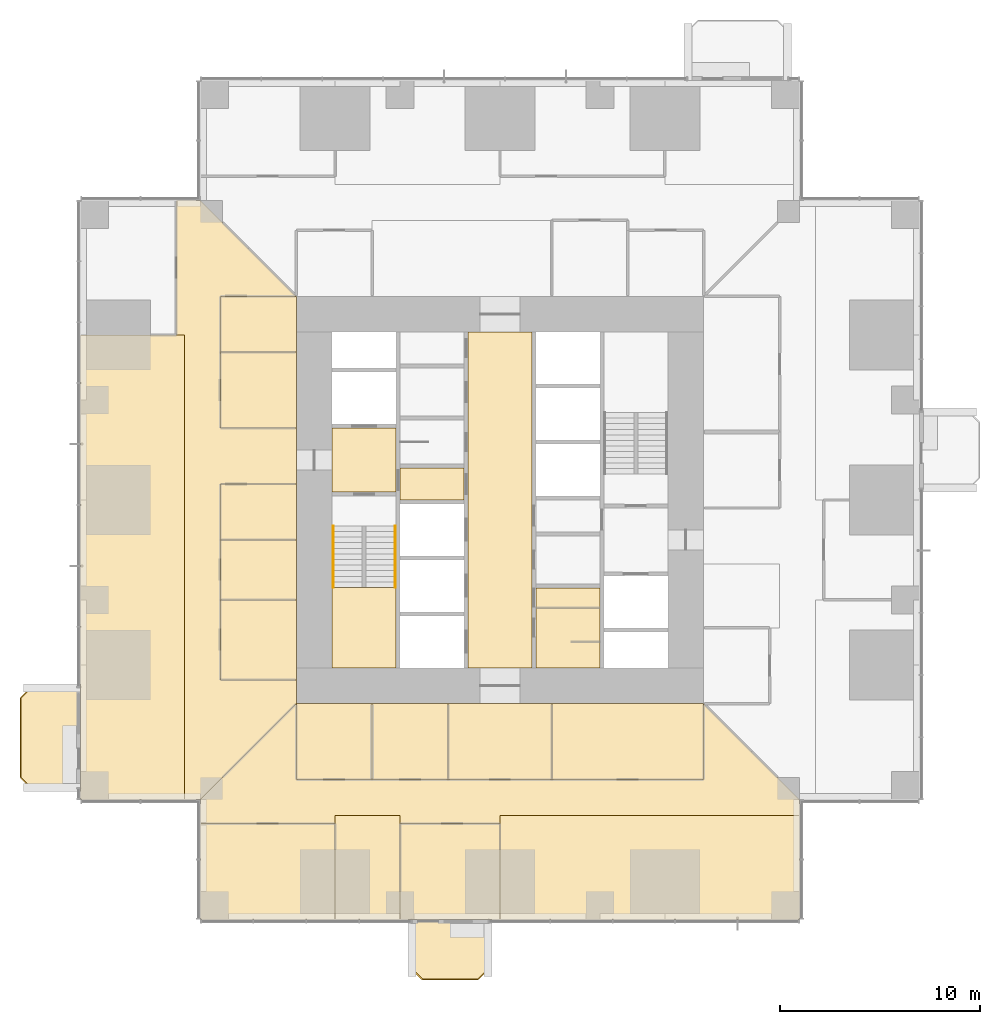
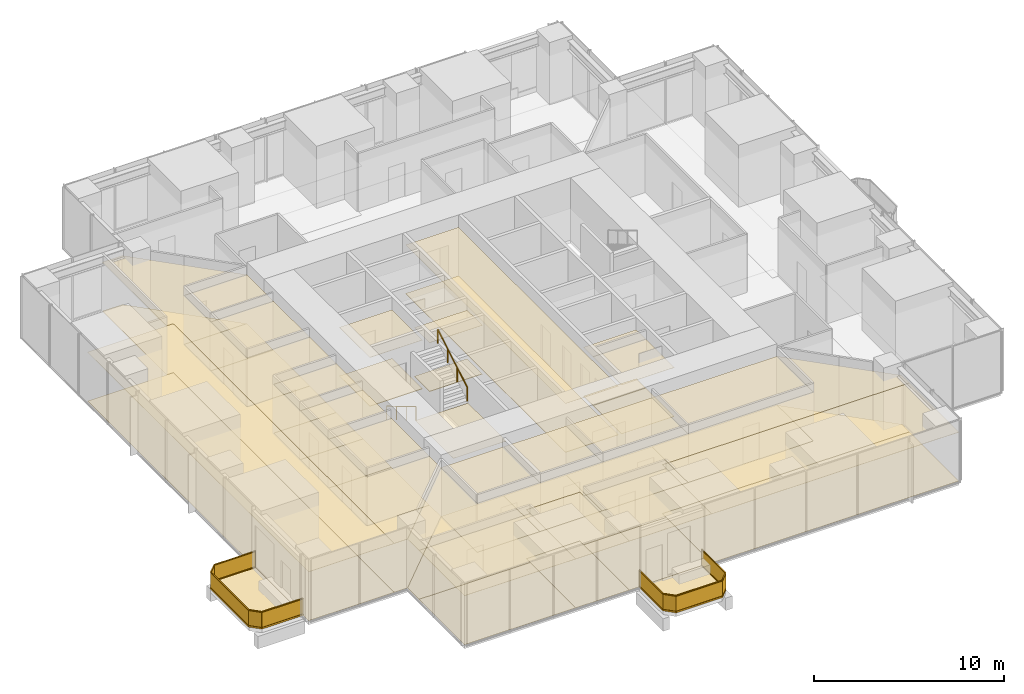
# One storey, part 15 of 17: 45 coverings, 4 railings.
"""IFC4 building model written with IfcOpenShell, lengths in metres."""

import ifcopenshell
import ifcopenshell.guid

model = None  # the IFC model being written
_history = None  # IfcOwnerHistory: only IFC2X3 demands one
_inside = {}  # id of a spatial element -> (the spatial element, [elements in it])
_under = {}  # id of a project, library or spatial element -> (it, [spatial elements below it])
_declared = {}  # id of a project -> (the project, [libraries it declares])
_typed = {}  # id of a type object -> (the type object, [elements of that type])
_made_of = {}  # id of a material, layer set ... -> (it, [elements and type objects made of it])


def new_model(schema):
    """Start an empty IFC model of exactly this schema.

    Asked for "IFC4X3", IfcOpenShell would pick the latest addendum, in which some entities
    have other attributes; the version numbers below select the first issue.
    IFC2X3 requires an IfcOwnerHistory on every rooted entity: one is made here for all.
    """
    global model, _history
    if schema == "IFC4X3":
        model = ifcopenshell.file(schema_version=(4, 3, 0, 0))
    else:
        model = ifcopenshell.file(schema=schema)
    _inside.clear()
    _under.clear()
    _declared.clear()
    _typed.clear()
    _made_of.clear()
    _history = None
    if model.schema == "IFC2X3":
        org = make("IfcOrganization", Name="unknown")
        user = make(
            "IfcPersonAndOrganization",
            ThePerson=make("IfcPerson", FamilyName="unknown"),
            TheOrganization=org,
        )
        app = make(
            "IfcApplication",
            ApplicationDeveloper=org,
            Version="unknown",
            ApplicationFullName="unknown",
            ApplicationIdentifier="unknown",
        )
        _history = make(
            "IfcOwnerHistory",
            OwningUser=user,
            OwningApplication=app,
            ChangeAction="ADDED",
            CreationDate=0,
        )
    return model


def make(cls, **values):
    """One entity of the class cls with the attributes given. An attribute that is None is left unset."""
    return model.create_entity(
        cls, **{name: value for name, value in values.items() if value is not None}
    )


def rooted(cls, **values):
    """An entity with a GlobalId (a new one), such as an element, a storey or a relation."""
    return make(cls, GlobalId=ifcopenshell.guid.new(), OwnerHistory=_history, **values)


def si_unit(unit_type, name, prefix=None):
    """IfcSIUnit, for example si_unit("LENGTHUNIT", "METRE", prefix="MILLI")."""
    return make("IfcSIUnit", UnitType=unit_type, Prefix=prefix, Name=name)


def assignment(units):
    """IfcUnitAssignment: the units of a project."""
    return None if units is None else make("IfcUnitAssignment", Units=units)


def point(xyz):
    """IfcCartesianPoint."""
    return None if xyz is None else make("IfcCartesianPoint", Coordinates=xyz)


def direction(xyz):
    """IfcDirection."""
    return None if xyz is None else make("IfcDirection", DirectionRatios=xyz)


def frame(location, z_axis=None, x_axis=None):
    """IfcAxis2Placement3D, a coordinate frame: its origin and axes. An axis left out is left unset."""
    return make(
        "IfcAxis2Placement3D",
        Location=point(location),
        Axis=direction(z_axis),
        RefDirection=direction(x_axis),
    )


def frame_2d(location, x_axis=None):
    """IfcAxis2Placement2D, a coordinate frame in the plane: its origin and x axis."""
    return make(
        "IfcAxis2Placement2D", Location=point(location), RefDirection=direction(x_axis)
    )


def origin():
    """The frame at (0, 0, 0) with its axes left unset."""
    return frame((0.0, 0.0, 0.0))


def origin_2d():
    """The frame at (0, 0) in the plane with its x axis left unset."""
    return frame_2d((0.0, 0.0))


def place(relative_to, where):
    """IfcLocalPlacement: puts the frame where relative to a parent placement (None: the world)."""
    return make(
        "IfcLocalPlacement", PlacementRelTo=relative_to, RelativePlacement=where
    )


def context(
    kind, dimensions, precision=None, world=None, true_north=None, identifier=None
):
    """IfcGeometricRepresentationContext, for example the 3D "Model" context."""
    return make(
        "IfcGeometricRepresentationContext",
        ContextIdentifier=identifier,
        ContextType=kind,
        CoordinateSpaceDimension=dimensions,
        Precision=precision,
        WorldCoordinateSystem=world,
        TrueNorth=true_north,
    )


def subcontext(parent, identifier, kind, view, scale=None):
    """IfcGeometricRepresentationSubContext, for example "Body" below "Model"."""
    return make(
        "IfcGeometricRepresentationSubContext",
        ContextIdentifier=identifier,
        ContextType=kind,
        ParentContext=parent,
        TargetScale=scale,
        TargetView=view,
    )


def project(units=None, contexts=None):
    """IfcProject with its units and contexts."""
    return rooted(
        "IfcProject",
        Name="project",
        RepresentationContexts=contexts,
        UnitsInContext=assignment(units),
    )


def spatial(cls, under=None, at=None, **own):
    """A site, building, storey or space (cls), placed at a placement, below another one or the project."""
    s = rooted(cls, ObjectPlacement=at, **own)
    if under is not None:
        _under.setdefault(under.id(), (under, []))[1].append(s)
    return s


def polyline(points):
    """IfcPolyline through the points."""
    return make("IfcPolyline", Points=[point(p) for p in points])


def profile(cls, at=None, kind="AREA", **sizes):
    """A parametric profile (cls). Its sizes go by their IFC names, for example OverallWidth=200.0."""
    return make(cls, ProfileType=kind, Position=at, **sizes)


def rectangle(**sizes):
    """IfcRectangleProfileDef."""
    return profile("IfcRectangleProfileDef", **sizes)


def circle(**sizes):
    """IfcCircleProfileDef."""
    return profile("IfcCircleProfileDef", **sizes)


def outline(outer, holes=None, kind="AREA"):
    """IfcArbitraryClosedProfileDef: a profile drawn as a closed curve; with holes, ...WithVoids."""
    if holes is None:
        return make("IfcArbitraryClosedProfileDef", ProfileType=kind, OuterCurve=outer)
    return make(
        "IfcArbitraryProfileDefWithVoids",
        ProfileType=kind,
        OuterCurve=outer,
        InnerCurves=holes,
    )


def extrude(swept, where, along, depth):
    """IfcExtrudedAreaSolid: the profile swept, set in the frame where, extruded along a direction by depth."""
    return make(
        "IfcExtrudedAreaSolid",
        SweptArea=swept,
        Position=where,
        ExtrudedDirection=direction(along),
        Depth=depth,
    )


def shape(context_of_items, identifier, shape_type, items):
    """IfcShapeRepresentation: the items that make up one representation, for example the "Body"."""
    return make(
        "IfcShapeRepresentation",
        ContextOfItems=context_of_items,
        RepresentationIdentifier=identifier,
        RepresentationType=shape_type,
        Items=items,
    )


def material(Name=None, Category=None):
    """IfcMaterial."""
    return make("IfcMaterial", Name=Name, Category=Category)


def layer(
    of_material, thickness, ventilated=None, Name=None, Category=None, Priority=None
):
    """IfcMaterialLayer: one layer of a wall or slab, of a material (None: an air gap)."""
    return make(
        "IfcMaterialLayer",
        Material=of_material,
        LayerThickness=thickness,
        IsVentilated=ventilated,
        Name=Name,
        Category=Category,
        Priority=Priority,
    )


def layer_set(layers, Name=None):
    """IfcMaterialLayerSet."""
    return make("IfcMaterialLayerSet", MaterialLayers=layers, LayerSetName=Name)


def made_of(thing, what):
    """Note that an element or type object is made of a material, layer set ...; save() writes the relation."""
    if what is not None:
        _made_of.setdefault(what.id(), (what, []))[1].append(thing)
    return thing


def type_object(cls, material=None, **own):
    """A type object (cls), such as IfcWallType, which elements share."""
    return made_of(rooted(cls, **own), material)


def element(
    cls,
    number,
    at=None,
    inside=None,
    cuts=None,
    type_object=None,
    material=None,
    context=None,
    identifier="Body",
    shape_type=None,
    held_by="IfcProductDefinitionShape",
    body=None,
    shapes=None,
    **own,
):
    """One element of the class cls, such as IfcWall. Its Tag is "e" and its number.

    at: its placement. inside: the storey or other place that contains it. cuts: it is an
    opening in that element (IfcRelVoidsElement). A single representation is given by context,
    identifier, shape_type and body (its items); several are given by shapes. held_by: the class
    of the entity that holds the representations. save() writes the other relations.
    """
    e = rooted(cls, Tag="e%d" % number, ObjectPlacement=at, **own)
    if body is not None:
        shapes = [shape(context, identifier, shape_type, body)]
    if shapes is not None:
        e.Representation = make(held_by, Representations=shapes)
    if inside is not None:
        _inside.setdefault(inside.id(), (inside, []))[1].append(e)
    if cuts is not None:
        rooted(
            "IfcRelVoidsElement", RelatingBuildingElement=cuts, RelatedOpeningElement=e
        )
    if type_object is not None:
        _typed.setdefault(type_object.id(), (type_object, []))[1].append(e)
    return made_of(e, material)


def aggregate(whole, parts):
    """IfcRelAggregates: a whole, such as a stair, and the parts it consists of."""
    return rooted("IfcRelAggregates", RelatingObject=whole, RelatedObjects=parts)


def save(model, path):
    """Write the relations noted so far, then the file.

    IfcRelAggregates (storeys below a building ...), IfcRelContainedInSpatialStructure (elements
    in a storey), IfcRelDefinesByType, IfcRelAssociatesMaterial and IfcRelDeclares: one each for
    every whole, place, type object, material and project.
    """
    for whole, parts in _under.values():
        aggregate(whole, parts)
    for where, things in _inside.values():
        rooted(
            "IfcRelContainedInSpatialStructure",
            RelatedElements=things,
            RelatingStructure=where,
        )
    for kind, things in _typed.values():
        rooted("IfcRelDefinesByType", RelatedObjects=things, RelatingType=kind)
    for what, things in _made_of.values():
        rooted("IfcRelAssociatesMaterial", RelatedObjects=things, RelatingMaterial=what)
    for by, libraries in _declared.values():
        rooted("IfcRelDeclares", RelatingContext=by, RelatedDefinitions=libraries)
    model.write(path)


model = new_model("IFC4")

# Units and contexts
model_context = context("Model", 3, precision=1e-05, world=origin(), true_north=direction((0.0, 1.0)))
body_context = subcontext(model_context, "Body", "Model", "MODEL_VIEW")
ifc_project = project(units=[si_unit("LENGTHUNIT", "METRE"), si_unit("AREAUNIT", "SQUARE_METRE"), si_unit("VOLUMEUNIT", "CUBIC_METRE"), si_unit("PLANEANGLEUNIT", "RADIAN"), si_unit("MASSUNIT", "GRAM", prefix="KILO")], contexts=[model_context])

# Site, building, storey
site_placement = place(None, origin())
site = spatial("IfcSite", under=ifc_project, at=site_placement, CompositionType="ELEMENT")
building_placement = place(site_placement, origin())
building = spatial("IfcBuilding", under=site, at=building_placement, Name="Svetlomir Tower", CompositionType="ELEMENT")
storey_placement = place(building_placement, frame((0.0, 0.0, 70.5)))
storey = spatial("IfcBuildingStorey", under=building, at=storey_placement, Name="L16", CompositionType="ELEMENT", Elevation=70.5)

# Railings
ifc_material_1 = material(Name="Bronze anodised aluminium and laminated glass", Category="aluminium")
railing_type_1 = type_object("IfcRailingType", Name="BALCONY GUARD GR1 1100", PredefinedType="GUARDRAIL", material=ifc_material_1)
railing_1_placement = place(storey_placement, frame((16.60009765625, 0.0, 0.0)))
element("IfcRailing", 1, at=railing_1_placement, inside=storey, type_object=railing_type_1, Name="Balcony guard S L16", PredefinedType="GUARDRAIL", context=body_context, shape_type="SweptSolid", body=[
    extrude(rectangle(XDim=0.06005859375, YDim=0.10009765625, at=origin_2d()), frame((0.0, 0.0, 0.050048828125), z_axis=(0.0, -1.0, 0.0), x_axis=(1.0, 0.0, 0.0)), (0.0, 0.0, 1.0), 2.5),
    extrude(rectangle(XDim=0.021484375, YDim=0.960205078125, at=origin_2d()), frame((0.0, 0.0, 0.580078125), z_axis=(0.0, -1.0, 0.0), x_axis=(1.0, 0.0, 0.0)), (0.0, 0.0, 1.0), 2.5),
    extrude(rectangle(XDim=0.06005859375, YDim=0.0400390625, at=origin_2d()), frame((0.0, 0.0, 1.080078125), z_axis=(0.0, -1.0, 0.0), x_axis=(1.0, 0.0, 0.0)), (0.0, 0.0, 1.0), 2.5),
    extrude(rectangle(XDim=0.06005859375, YDim=0.10009765625, at=origin_2d()), frame((0.0, -2.5, 0.050048828125), z_axis=(0.707106781187, -0.707106781187, 0.0), x_axis=(0.707106781187, 0.707106781187, 0.0)), (0.0, 0.0, 1.0), 0.70703125),
    extrude(rectangle(XDim=0.021484375, YDim=0.960205078125, at=origin_2d()), frame((0.0, -2.5, 0.580078125), z_axis=(0.707106781187, -0.707106781187, 0.0), x_axis=(0.707106781187, 0.707106781187, 0.0)), (0.0, 0.0, 1.0), 0.70703125),
    extrude(rectangle(XDim=0.06005859375, YDim=0.0400390625, at=origin_2d()), frame((0.0, -2.5, 1.080078125), z_axis=(0.707106781187, -0.707106781187, 0.0), x_axis=(0.707106781187, 0.707106781187, 0.0)), (0.0, 0.0, 1.0), 0.70703125),
    extrude(rectangle(XDim=0.06005859375, YDim=0.10009765625, at=origin_2d()), frame((0.5, -3.0, 0.050048828125), z_axis=(1.0, 0.0, 0.0), x_axis=(0.0, 1.0, 0.0)), (0.0, 0.0, 1.0), 2.7998046875),
    extrude(rectangle(XDim=0.021484375, YDim=0.960205078125, at=origin_2d()), frame((0.5, -3.0, 0.580078125), z_axis=(1.0, 0.0, 0.0), x_axis=(0.0, 1.0, 0.0)), (0.0, 0.0, 1.0), 2.7998046875),
    extrude(rectangle(XDim=0.06005859375, YDim=0.0400390625, at=origin_2d()), frame((0.5, -3.0, 1.080078125), z_axis=(1.0, 0.0, 0.0), x_axis=(0.0, 1.0, 0.0)), (0.0, 0.0, 1.0), 2.7998046875),
    extrude(rectangle(XDim=0.06005859375, YDim=0.10009765625, at=origin_2d()), frame((3.2998046875, -3.0, 0.050048828125), z_axis=(0.707106781187, 0.707106781187, 0.0), x_axis=(-0.707106781187, 0.707106781187, 0.0)), (0.0, 0.0, 1.0), 0.70703125),
    extrude(rectangle(XDim=0.021484375, YDim=0.960205078125, at=origin_2d()), frame((3.2998046875, -3.0, 0.580078125), z_axis=(0.707106781187, 0.707106781187, 0.0), x_axis=(-0.707106781187, 0.707106781187, 0.0)), (0.0, 0.0, 1.0), 0.70703125),
    extrude(rectangle(XDim=0.06005859375, YDim=0.0400390625, at=origin_2d()), frame((3.2998046875, -3.0, 1.080078125), z_axis=(0.707106781187, 0.707106781187, 0.0), x_axis=(-0.707106781187, 0.707106781187, 0.0)), (0.0, 0.0, 1.0), 0.70703125),
    extrude(rectangle(XDim=0.06005859375, YDim=0.10009765625, at=origin_2d()), frame((3.7998046875, -2.5, 0.050048828125), z_axis=(0.0, 1.0, 0.0), x_axis=(-1.0, 0.0, 0.0)), (0.0, 0.0, 1.0), 2.5),
    extrude(rectangle(XDim=0.021484375, YDim=0.960205078125, at=origin_2d()), frame((3.7998046875, -2.5, 0.580078125), z_axis=(0.0, 1.0, 0.0), x_axis=(-1.0, 0.0, 0.0)), (0.0, 0.0, 1.0), 2.5),
    extrude(rectangle(XDim=0.06005859375, YDim=0.0400390625, at=origin_2d()), frame((3.7998046875, -2.5, 1.080078125), z_axis=(0.0, 1.0, 0.0), x_axis=(-1.0, 0.0, 0.0)), (0.0, 0.0, 1.0), 2.5),
])
railing_2_placement = place(storey_placement, frame((0.0, 11.60009765625, 0.0)))
element("IfcRailing", 2, at=railing_2_placement, inside=storey, type_object=railing_type_1, Name="Balcony guard W L16", PredefinedType="GUARDRAIL", context=body_context, shape_type="SweptSolid", body=[
    extrude(rectangle(XDim=0.06005859375, YDim=0.10009765625, at=origin_2d()), frame((0.0, 0.0, 0.050048828125), z_axis=(-1.0, 0.0, 0.0), x_axis=(0.0, -1.0, 0.0)), (0.0, 0.0, 1.0), 2.5),
    extrude(rectangle(XDim=0.021484375, YDim=0.960205078125, at=origin_2d()), frame((0.0, 0.0, 0.580078125), z_axis=(-1.0, 0.0, 0.0), x_axis=(0.0, -1.0, 0.0)), (0.0, 0.0, 1.0), 2.5),
    extrude(rectangle(XDim=0.06005859375, YDim=0.0400390625, at=origin_2d()), frame((0.0, 0.0, 1.080078125), z_axis=(-1.0, 0.0, 0.0), x_axis=(0.0, -1.0, 0.0)), (0.0, 0.0, 1.0), 2.5),
    extrude(rectangle(XDim=0.06005859375, YDim=0.10009765625, at=origin_2d()), frame((-2.5, 0.0, 0.050048828125), z_axis=(-0.707106781187, -0.707106781187, 0.0), x_axis=(0.707106781187, -0.707106781187, 0.0)), (0.0, 0.0, 1.0), 0.70703125),
    extrude(rectangle(XDim=0.021484375, YDim=0.960205078125, at=origin_2d()), frame((-2.5, 0.0, 0.580078125), z_axis=(-0.707106781187, -0.707106781187, 0.0), x_axis=(0.707106781187, -0.707106781187, 0.0)), (0.0, 0.0, 1.0), 0.70703125),
    extrude(rectangle(XDim=0.06005859375, YDim=0.0400390625, at=origin_2d()), frame((-2.5, 0.0, 1.080078125), z_axis=(-0.707106781187, -0.707106781187, 0.0), x_axis=(0.707106781187, -0.707106781187, 0.0)), (0.0, 0.0, 1.0), 0.70703125),
    extrude(rectangle(XDim=0.06005859375, YDim=0.10009765625, at=origin_2d()), frame((-3.0, -0.5, 0.050048828125), z_axis=(0.0, -1.0, 0.0), x_axis=(1.0, 0.0, 0.0)), (0.0, 0.0, 1.0), 4.0),
    extrude(rectangle(XDim=0.021484375, YDim=0.960205078125, at=origin_2d()), frame((-3.0, -0.5, 0.580078125), z_axis=(0.0, -1.0, 0.0), x_axis=(1.0, 0.0, 0.0)), (0.0, 0.0, 1.0), 4.0),
    extrude(rectangle(XDim=0.06005859375, YDim=0.0400390625, at=origin_2d()), frame((-3.0, -0.5, 1.080078125), z_axis=(0.0, -1.0, 0.0), x_axis=(1.0, 0.0, 0.0)), (0.0, 0.0, 1.0), 4.0),
    extrude(rectangle(XDim=0.06005859375, YDim=0.10009765625, at=origin_2d()), frame((-3.0, -4.5, 0.050048828125), z_axis=(0.707106781187, -0.707106781187, 0.0), x_axis=(0.707106781187, 0.707106781187, 0.0)), (0.0, 0.0, 1.0), 0.70703125),
    extrude(rectangle(XDim=0.021484375, YDim=0.960205078125, at=origin_2d()), frame((-3.0, -4.5, 0.580078125), z_axis=(0.707106781187, -0.707106781187, 0.0), x_axis=(0.707106781187, 0.707106781187, 0.0)), (0.0, 0.0, 1.0), 0.70703125),
    extrude(rectangle(XDim=0.06005859375, YDim=0.0400390625, at=origin_2d()), frame((-3.0, -4.5, 1.080078125), z_axis=(0.707106781187, -0.707106781187, 0.0), x_axis=(0.707106781187, 0.707106781187, 0.0)), (0.0, 0.0, 1.0), 0.70703125),
    extrude(rectangle(XDim=0.06005859375, YDim=0.10009765625, at=origin_2d()), frame((-2.5, -5.0, 0.050048828125), z_axis=(1.0, 0.0, 0.0), x_axis=(0.0, 1.0, 0.0)), (0.0, 0.0, 1.0), 2.5),
    extrude(rectangle(XDim=0.021484375, YDim=0.960205078125, at=origin_2d()), frame((-2.5, -5.0, 0.580078125), z_axis=(1.0, 0.0, 0.0), x_axis=(0.0, 1.0, 0.0)), (0.0, 0.0, 1.0), 2.5),
    extrude(rectangle(XDim=0.06005859375, YDim=0.0400390625, at=origin_2d()), frame((-2.5, -5.0, 1.080078125), z_axis=(1.0, 0.0, 0.0), x_axis=(0.0, 1.0, 0.0)), (0.0, 0.0, 1.0), 2.5),
])

# Coverings
ifc_material_2 = material(Name="Granite paving slabs on pedestals", Category="masonry")
ifc_layer_1 = layer(ifc_material_2, 0.0400390625)
ifc_layer_set_1 = layer_set([ifc_layer_1], Name="Granite paving slabs on pedestals")
covering_type_1 = type_object("IfcCoveringType", Name="BALCONY PAVING 40", PredefinedType="USERDEFINED", material=ifc_layer_set_1)
covering_1_placement = place(storey_placement, origin())
element("IfcCovering", 3, at=covering_1_placement, inside=storey, type_object=covering_type_1, Name="Balcony paving S L16", ObjectType="BALCONY PAVING", PredefinedType="USERDEFINED", context=body_context, shape_type="SweptSolid", body=[
    extrude(outline(polyline([(16.60009765625, -2.5), (17.10009765625, -3.0), (19.89990234375, -3.0), (20.39990234375, -2.5), (20.39990234375, 0.0), (16.60009765625, 0.0), (16.60009765625, -2.5)])), origin(), (0.0, 0.0, 1.0), 0.0400390625),
])
covering_2_placement = place(storey_placement, origin())
element("IfcCovering", 4, at=covering_2_placement, inside=storey, type_object=covering_type_1, Name="Balcony paving W L16", ObjectType="BALCONY PAVING", PredefinedType="USERDEFINED", context=body_context, shape_type="SweptSolid", body=[
    extrude(outline(polyline([(-2.5, 6.60009765625), (0.0, 6.60009765625), (0.0, 11.60009765625), (-2.5, 11.60009765625), (-3.0, 11.10009765625), (-3.0, 7.10009765625), (-2.5, 6.60009765625)])), origin(), (0.0, 0.0, 1.0), 0.0400390625),
])
ifc_material_3 = material(Name="Carpet tile", Category="textile")
ifc_layer_2 = layer(ifc_material_3, 0.010009765625)
ifc_layer_set_2 = layer_set([ifc_layer_2], Name="Carpet tile")
covering_type_2 = type_object("IfcCoveringType", Name="CARPET TILE FLOOR 10", PredefinedType="FLOORING", material=ifc_layer_set_2)
covering_3_placement = place(storey_placement, origin())
element("IfcCovering", 5, at=covering_3_placement, inside=storey, type_object=covering_type_2, Name="Floor finish L16-14", PredefinedType="FLOORING", context=body_context, shape_type="SweptSolid", body=[
    extrude(outline(polyline([(10.800048828125, 7.0), (14.60009765625, 7.0), (14.60009765625, 10.800048828125), (10.800048828125, 10.800048828125), (10.800048828125, 7.0)])), origin(), (0.0, 0.0, 1.0), 0.010009765625),
])
covering_4_placement = place(storey_placement, origin())
element("IfcCovering", 6, at=covering_4_placement, inside=storey, type_object=covering_type_2, Name="Floor finish L16-15", PredefinedType="FLOORING", context=body_context, shape_type="SweptSolid", body=[
    extrude(outline(polyline([(14.60009765625, 7.0), (18.39990234375, 7.0), (18.39990234375, 10.800048828125), (14.60009765625, 10.800048828125), (14.60009765625, 7.0)])), origin(), (0.0, 0.0, 1.0), 0.010009765625),
])
covering_5_placement = place(storey_placement, origin())
element("IfcCovering", 7, at=covering_5_placement, inside=storey, type_object=covering_type_2, Name="Floor finish L16-16", PredefinedType="FLOORING", context=body_context, shape_type="SweptSolid", body=[
    extrude(outline(polyline([(23.60009765625, 7.0), (31.199951171875, 7.0), (31.199951171875, 10.800048828125), (23.60009765625, 10.800048828125), (23.60009765625, 7.0)])), origin(), (0.0, 0.0, 1.0), 0.010009765625),
])
covering_6_placement = place(storey_placement, origin())
element("IfcCovering", 8, at=covering_6_placement, inside=storey, type_object=covering_type_2, Name="Floor finish L16-17", PredefinedType="FLOORING", context=body_context, shape_type="SweptSolid", body=[
    extrude(outline(polyline([(6.0, 0.0), (12.75, 0.0), (12.75, 4.800048828125), (6.0, 4.800048828125), (6.0, 0.0)])), origin(), (0.0, 0.0, 1.0), 0.010009765625),
])
covering_7_placement = place(storey_placement, origin())
element("IfcCovering", 9, at=covering_7_placement, inside=storey, type_object=covering_type_2, Name="Floor finish L16-18", PredefinedType="FLOORING", context=body_context, shape_type="SweptSolid", body=[
    extrude(outline(polyline([(16.0, 0.0), (21.0, 0.0), (21.0, 4.800048828125), (16.0, 4.800048828125), (16.0, 0.0)])), origin(), (0.0, 0.0, 1.0), 0.010009765625),
])
covering_8_placement = place(storey_placement, origin())
element("IfcCovering", 10, at=covering_8_placement, inside=storey, type_object=covering_type_2, Name="Floor finish L16-28", PredefinedType="FLOORING", context=body_context, shape_type="SweptSolid", body=[
    extrude(outline(polyline([(7.0, 12.0), (10.800048828125, 12.0), (10.800048828125, 16.0), (7.0, 16.0), (7.0, 12.0)])), origin(), (0.0, 0.0, 1.0), 0.010009765625),
])
covering_9_placement = place(storey_placement, origin())
element("IfcCovering", 11, at=covering_9_placement, inside=storey, type_object=covering_type_2, Name="Floor finish L16-29", PredefinedType="FLOORING", context=body_context, shape_type="SweptSolid", body=[
    extrude(outline(polyline([(7.0, 16.0), (10.800048828125, 16.0), (10.800048828125, 19.0), (7.0, 19.0), (7.0, 16.0)])), origin(), (0.0, 0.0, 1.0), 0.010009765625),
])
covering_10_placement = place(storey_placement, origin())
element("IfcCovering", 12, at=covering_10_placement, inside=storey, type_object=covering_type_2, Name="Floor finish L16-30", PredefinedType="FLOORING", context=body_context, shape_type="SweptSolid", body=[
    extrude(outline(polyline([(7.0, 24.60009765625), (10.800048828125, 24.60009765625), (10.800048828125, 28.39990234375), (7.0, 28.39990234375), (7.0, 24.60009765625)])), origin(), (0.0, 0.0, 1.0), 0.010009765625),
])
covering_11_placement = place(storey_placement, origin())
element("IfcCovering", 13, at=covering_11_placement, inside=storey, type_object=covering_type_2, Name="Floor finish L16-32", PredefinedType="FLOORING", context=body_context, shape_type="SweptSolid", body=[
    extrude(outline(polyline([(6.0, 4.800048828125), (6.0, 6.0), (10.800048828125, 10.800048828125), (10.800048828125, 7.0), (31.199951171875, 7.0), (31.199951171875, 10.800048828125), (36.0, 6.0), (36.0, 5.199951171875), (21.0, 5.199951171875), (21.0, 4.800048828125), (16.0, 4.800048828125), (16.0, 5.199951171875), (12.75, 5.199951171875), (12.75, 4.800048828125), (6.0, 4.800048828125)])), origin(), (0.0, 0.0, 1.0), 0.010009765625),
])
covering_12_placement = place(storey_placement, origin())
element("IfcCovering", 14, at=covering_12_placement, inside=storey, type_object=covering_type_2, Name="Floor finish L16-35", PredefinedType="FLOORING", context=body_context, shape_type="SweptSolid", body=[
    extrude(outline(polyline([(5.199951171875, 6.0), (5.199951171875, 29.25), (4.800048828125, 29.25), (4.800048828125, 36.0), (6.0, 36.0), (10.800048828125, 31.199951171875), (7.0, 31.199951171875), (7.0, 24.60009765625), (10.800048828125, 24.60009765625), (10.800048828125, 21.800048828125), (7.0, 21.800048828125), (7.0, 12.0), (10.800048828125, 12.0), (10.800048828125, 10.800048828125), (6.0, 6.0), (5.199951171875, 6.0)])), origin(), (0.0, 0.0, 1.0), 0.010009765625),
])
covering_13_placement = place(storey_placement, origin())
element("IfcCovering", 15, at=covering_13_placement, inside=storey, type_object=covering_type_2, Name="Floor finish L16-36", PredefinedType="FLOORING", context=body_context, shape_type="SweptSolid", body=[
    extrude(outline(polyline([(12.75, 5.199951171875), (16.0, 5.199951171875), (16.0, 0.0), (12.75, 0.0), (12.75, 5.199951171875)])), origin(), (0.0, 0.0, 1.0), 0.010009765625),
])
covering_14_placement = place(storey_placement, origin())
element("IfcCovering", 16, at=covering_14_placement, inside=storey, type_object=covering_type_2, Name="Floor finish L16-37", PredefinedType="FLOORING", context=body_context, shape_type="SweptSolid", body=[
    extrude(outline(polyline([(21.0, 0.0), (21.0, 5.199951171875), (36.0, 5.199951171875), (36.0, 0.0), (21.0, 0.0)])), origin(), (0.0, 0.0, 1.0), 0.010009765625),
])
covering_15_placement = place(storey_placement, origin())
element("IfcCovering", 17, at=covering_15_placement, inside=storey, type_object=covering_type_2, Name="Floor finish L16-38", PredefinedType="FLOORING", context=body_context, shape_type="SweptSolid", body=[
    extrude(outline(polyline([(23.60009765625, 7.0), (18.39990234375, 7.0), (18.39990234375, 10.800048828125), (23.60009765625, 10.800048828125), (23.60009765625, 7.0)])), origin(), (0.0, 0.0, 1.0), 0.010009765625),
])
covering_16_placement = place(storey_placement, origin())
element("IfcCovering", 18, at=covering_16_placement, inside=storey, type_object=covering_type_2, Name="Floor finish L16-45", PredefinedType="FLOORING", context=body_context, shape_type="SweptSolid", body=[
    extrude(outline(polyline([(0.0, 29.25), (5.199951171875, 29.25), (5.199951171875, 6.0), (0.0, 6.0), (0.0, 29.25)])), origin(), (0.0, 0.0, 1.0), 0.010009765625),
])
covering_17_placement = place(storey_placement, origin())
element("IfcCovering", 19, at=covering_17_placement, inside=storey, type_object=covering_type_2, Name="Floor finish L16-46", PredefinedType="FLOORING", context=body_context, shape_type="SweptSolid", body=[
    extrude(outline(polyline([(7.0, 28.39990234375), (7.0, 31.199951171875), (10.800048828125, 31.199951171875), (10.800048828125, 28.39990234375), (7.0, 28.39990234375)])), origin(), (0.0, 0.0, 1.0), 0.010009765625),
])
covering_18_placement = place(storey_placement, origin())
element("IfcCovering", 20, at=covering_18_placement, inside=storey, type_object=covering_type_2, Name="Floor finish L16-47", PredefinedType="FLOORING", context=body_context, shape_type="SweptSolid", body=[
    extrude(outline(polyline([(7.0, 19.0), (7.0, 21.800048828125), (10.800048828125, 21.800048828125), (10.800048828125, 19.0), (7.0, 19.0)])), origin(), (0.0, 0.0, 1.0), 0.010009765625),
])
ifc_material_4 = material(Name="Ceramic floor tile", Category="ceramic")
ifc_layer_3 = layer(ifc_material_4, 0.014892578125)
ifc_layer_set_3 = layer_set([ifc_layer_3], Name="Ceramic floor tile")
covering_type_3 = type_object("IfcCoveringType", Name="CERAMIC TILE FLOOR 15", PredefinedType="FLOORING", material=ifc_layer_set_3)
covering_19_placement = place(storey_placement, origin())
element("IfcCovering", 21, at=covering_19_placement, inside=storey, type_object=covering_type_3, Name="Floor finish L16-08", PredefinedType="FLOORING", context=body_context, shape_type="SweptSolid", body=[
    extrude(outline(polyline([(22.800048828125, 15.60009765625), (26.0, 15.60009765625), (26.0, 16.60009765625), (22.800048828125, 16.60009765625), (22.800048828125, 15.60009765625)])), origin(), (0.0, 0.0, 1.0), 0.014892578125),
])
covering_20_placement = place(storey_placement, origin())
element("IfcCovering", 22, at=covering_20_placement, inside=storey, type_object=covering_type_3, Name="Floor finish L16-09", PredefinedType="FLOORING", context=body_context, shape_type="SweptSolid", body=[
    extrude(outline(polyline([(22.800048828125, 12.60009765625), (26.0, 12.60009765625), (26.0, 15.60009765625), (22.800048828125, 15.60009765625), (22.800048828125, 12.60009765625)])), origin(), (0.0, 0.0, 1.0), 0.014892578125),
])

# Railings
ifc_material_5 = material(Name="Stainless steel", Category="steel")
railing_type_2 = type_object("IfcRailingType", Name="HANDRAIL HR1 900", PredefinedType="HANDRAIL", material=ifc_material_5)
railing_3_placement = place(storey_placement, frame((12.64990234375, 19.699951171875, 0.166748046875)))
element("IfcRailing", 23, at=railing_3_placement, inside=storey, type_object=railing_type_2, Name="Handrail S1 flight 1 L16", PredefinedType="HANDRAIL", context=body_context, shape_type="SweptSolid", body=[
    extrude(circle(Radius=0.02392578125, at=origin_2d()), frame((0.0, 0.0, 0.8759765625), z_axis=(0.0, -0.859290745958, 0.51148745235), x_axis=(1.0, 0.0, 0.0)), (0.0, 0.0, 1.0), 3.584228515625),
    extrude(circle(Radius=0.02099609375, at=origin_2d()), origin(), (0.0, 0.0, 1.0), 0.851806640625),
    extrude(circle(Radius=0.02099609375, at=origin_2d()), frame((0.0, -1.026611328125, 0.611083984375)), (0.0, 0.0, 1.0), 0.851806640625),
    extrude(circle(Radius=0.02099609375, at=origin_2d()), frame((0.0, -2.05322265625, 1.22216796875)), (0.0, 0.0, 1.0), 0.851806640625),
    extrude(circle(Radius=0.02099609375, at=origin_2d()), frame((0.0, -3.079833984375, 1.833251953125)), (0.0, 0.0, 1.0), 0.851806640625),
])
railing_4_placement = place(storey_placement, frame((15.75, 16.6201171875, 2.166748046875)))
element("IfcRailing", 24, at=railing_4_placement, inside=storey, type_object=railing_type_2, Name="Handrail S1 flight 2 L16", PredefinedType="HANDRAIL", context=body_context, shape_type="SweptSolid", body=[
    extrude(circle(Radius=0.02392578125, at=origin_2d()), frame((0.0, 0.0, 0.8759765625), z_axis=(0.0, 0.859290745958, 0.51148745235), x_axis=(-1.0, 0.0, 0.0)), (0.0, 0.0, 1.0), 3.584228515625),
    extrude(circle(Radius=0.02099609375, at=origin_2d()), origin(), (0.0, 0.0, 1.0), 0.851806640625),
    extrude(circle(Radius=0.02099609375, at=origin_2d()), frame((0.0, 1.026611328125, 0.611083984375)), (0.0, 0.0, 1.0), 0.851806640625),
    extrude(circle(Radius=0.02099609375, at=origin_2d()), frame((0.0, 2.05322265625, 1.22216796875)), (0.0, 0.0, 1.0), 0.851806640625),
    extrude(circle(Radius=0.02099609375, at=origin_2d()), frame((0.0, 3.079833984375, 1.833251953125)), (0.0, 0.0, 1.0), 0.851806640625),
])

# Coverings
ifc_material_6 = material(Name="Moisture resistant plasterboard ceiling", Category="gypsum")
ifc_layer_4 = layer(ifc_material_6, 0.012451171875)
ifc_layer_set_4 = layer_set([ifc_layer_4], Name="Moisture resistant plasterboard ceiling")
covering_type_4 = type_object("IfcCoveringType", Name="MOISTURE RESISTANT CEILING 12.5", PredefinedType="CEILING", material=ifc_layer_set_4)
covering_21_placement = place(storey_placement, frame((0.0, 0.0, 3.137451171875)))
element("IfcCovering", 25, at=covering_21_placement, inside=storey, type_object=covering_type_4, Name="Ceiling L16-08", PredefinedType="CEILING", context=body_context, shape_type="SweptSolid", body=[
    extrude(outline(polyline([(22.800048828125, 15.60009765625), (26.0, 15.60009765625), (26.0, 16.60009765625), (22.800048828125, 16.60009765625), (22.800048828125, 15.60009765625)])), origin(), (0.0, 0.0, 1.0), 0.012451171875),
])
covering_22_placement = place(storey_placement, frame((0.0, 0.0, 3.137451171875)))
element("IfcCovering", 26, at=covering_22_placement, inside=storey, type_object=covering_type_4, Name="Ceiling L16-09", PredefinedType="CEILING", context=body_context, shape_type="SweptSolid", body=[
    extrude(outline(polyline([(22.800048828125, 12.60009765625), (26.0, 12.60009765625), (26.0, 15.60009765625), (22.800048828125, 15.60009765625), (22.800048828125, 12.60009765625)])), origin(), (0.0, 0.0, 1.0), 0.012451171875),
])
ifc_material_7 = material(Name="Gypsum plasterboard ceiling", Category="gypsum")
ifc_layer_5 = layer(ifc_material_7, 0.014892578125)
ifc_layer_set_5 = layer_set([ifc_layer_5], Name="Gypsum plasterboard ceiling")
covering_type_5 = type_object("IfcCoveringType", Name="PLASTERBOARD CEILING 15", PredefinedType="CEILING", material=ifc_layer_set_5)
covering_23_placement = place(storey_placement, frame((0.0, 0.0, 3.135009765625)))
element("IfcCovering", 27, at=covering_23_placement, inside=storey, type_object=covering_type_5, Name="Ceiling L16-02", PredefinedType="CEILING", context=body_context, shape_type="SweptSolid", body=[
    extrude(outline(polyline([(12.60009765625, 21.39990234375), (15.800048828125, 21.39990234375), (15.800048828125, 24.60009765625), (12.60009765625, 24.60009765625), (12.60009765625, 21.39990234375)])), origin(), (0.0, 0.0, 1.0), 0.014892578125),
])
covering_24_placement = place(storey_placement, frame((0.0, 0.0, 3.135009765625)))
element("IfcCovering", 28, at=covering_24_placement, inside=storey, type_object=covering_type_5, Name="Ceiling L16-03", PredefinedType="CEILING", context=body_context, shape_type="SweptSolid", body=[
    extrude(outline(polyline([(16.0, 21.0), (19.199951171875, 21.0), (19.199951171875, 22.60009765625), (16.0, 22.60009765625), (16.0, 21.0)])), origin(), (0.0, 0.0, 1.0), 0.014892578125),
])
covering_25_placement = place(storey_placement, frame((0.0, 0.0, 3.135009765625)))
element("IfcCovering", 29, at=covering_25_placement, inside=storey, type_object=covering_type_5, Name="Ceiling L16-07", PredefinedType="CEILING", context=body_context, shape_type="SweptSolid", body=[
    extrude(outline(polyline([(19.39990234375, 12.60009765625), (22.60009765625, 12.60009765625), (22.60009765625, 29.39990234375), (19.39990234375, 29.39990234375), (19.39990234375, 12.60009765625)])), origin(), (0.0, 0.0, 1.0), 0.014892578125),
])
ifc_material_8 = material(Name="Studded rubber floor finish", Category="rubber")
ifc_layer_6 = layer(ifc_material_8, 0.006103515625)
ifc_layer_set_6 = layer_set([ifc_layer_6], Name="Studded rubber floor finish")
covering_type_6 = type_object("IfcCoveringType", Name="RUBBER LANDING FINISH 6", PredefinedType="FLOORING", material=ifc_layer_set_6)
covering_26_placement = place(storey_placement, frame((0.0, 0.0, 2.0)))
element("IfcCovering", 30, at=covering_26_placement, inside=storey, type_object=covering_type_6, Name="Stair S1 landing finish L16", PredefinedType="FLOORING", context=body_context, shape_type="SweptSolid", body=[
    extrude(outline(polyline([(12.60009765625, 12.60009765625), (15.800048828125, 12.60009765625), (15.800048828125, 16.6201171875), (12.60009765625, 16.6201171875), (12.60009765625, 12.60009765625)])), origin(), (0.0, 0.0, 1.0), 0.006103515625),
])
ifc_material_9 = material(Name="Mineral fibre ceiling tile", Category="mineral")
ifc_layer_7 = layer(ifc_material_9, 0.02001953125)
ifc_layer_set_7 = layer_set([ifc_layer_7], Name="Mineral fibre ceiling tile")
covering_type_7 = type_object("IfcCoveringType", Name="SUSPENDED CEILING 20", PredefinedType="CEILING", material=ifc_layer_set_7)
covering_27_placement = place(storey_placement, frame((0.0, 0.0, 3.1298828125)))
element("IfcCovering", 31, at=covering_27_placement, inside=storey, type_object=covering_type_7, Name="Ceiling L16-14", PredefinedType="CEILING", context=body_context, shape_type="SweptSolid", body=[
    extrude(outline(polyline([(10.800048828125, 7.0), (14.60009765625, 7.0), (14.60009765625, 10.800048828125), (10.800048828125, 10.800048828125), (10.800048828125, 7.0)])), origin(), (0.0, 0.0, 1.0), 0.02001953125),
])
covering_28_placement = place(storey_placement, frame((0.0, 0.0, 3.1298828125)))
element("IfcCovering", 32, at=covering_28_placement, inside=storey, type_object=covering_type_7, Name="Ceiling L16-15", PredefinedType="CEILING", context=body_context, shape_type="SweptSolid", body=[
    extrude(outline(polyline([(14.60009765625, 7.0), (18.39990234375, 7.0), (18.39990234375, 10.800048828125), (14.60009765625, 10.800048828125), (14.60009765625, 7.0)])), origin(), (0.0, 0.0, 1.0), 0.02001953125),
])
covering_29_placement = place(storey_placement, frame((0.0, 0.0, 3.1298828125)))
element("IfcCovering", 33, at=covering_29_placement, inside=storey, type_object=covering_type_7, Name="Ceiling L16-16", PredefinedType="CEILING", context=body_context, shape_type="SweptSolid", body=[
    extrude(outline(polyline([(23.60009765625, 7.0), (31.199951171875, 7.0), (31.199951171875, 10.800048828125), (23.60009765625, 10.800048828125), (23.60009765625, 7.0)])), origin(), (0.0, 0.0, 1.0), 0.02001953125),
])
covering_30_placement = place(storey_placement, frame((0.0, 0.0, 3.1298828125)))
element("IfcCovering", 34, at=covering_30_placement, inside=storey, type_object=covering_type_7, Name="Ceiling L16-17", PredefinedType="CEILING", context=body_context, shape_type="SweptSolid", body=[
    extrude(outline(polyline([(6.0, 0.0), (12.75, 0.0), (12.75, 4.800048828125), (6.0, 4.800048828125), (6.0, 0.0)])), origin(), (0.0, 0.0, 1.0), 0.02001953125),
])
covering_31_placement = place(storey_placement, frame((0.0, 0.0, 3.1298828125)))
element("IfcCovering", 35, at=covering_31_placement, inside=storey, type_object=covering_type_7, Name="Ceiling L16-18", PredefinedType="CEILING", context=body_context, shape_type="SweptSolid", body=[
    extrude(outline(polyline([(16.0, 0.0), (21.0, 0.0), (21.0, 4.800048828125), (16.0, 4.800048828125), (16.0, 0.0)])), origin(), (0.0, 0.0, 1.0), 0.02001953125),
])
covering_32_placement = place(storey_placement, frame((0.0, 0.0, 3.1298828125)))
element("IfcCovering", 36, at=covering_32_placement, inside=storey, type_object=covering_type_7, Name="Ceiling L16-28", PredefinedType="CEILING", context=body_context, shape_type="SweptSolid", body=[
    extrude(outline(polyline([(7.0, 12.0), (10.800048828125, 12.0), (10.800048828125, 16.0), (7.0, 16.0), (7.0, 12.0)])), origin(), (0.0, 0.0, 1.0), 0.02001953125),
])
covering_33_placement = place(storey_placement, frame((0.0, 0.0, 3.1298828125)))
element("IfcCovering", 37, at=covering_33_placement, inside=storey, type_object=covering_type_7, Name="Ceiling L16-29", PredefinedType="CEILING", context=body_context, shape_type="SweptSolid", body=[
    extrude(outline(polyline([(7.0, 16.0), (10.800048828125, 16.0), (10.800048828125, 19.0), (7.0, 19.0), (7.0, 16.0)])), origin(), (0.0, 0.0, 1.0), 0.02001953125),
])
covering_34_placement = place(storey_placement, frame((0.0, 0.0, 3.1298828125)))
element("IfcCovering", 38, at=covering_34_placement, inside=storey, type_object=covering_type_7, Name="Ceiling L16-30", PredefinedType="CEILING", context=body_context, shape_type="SweptSolid", body=[
    extrude(outline(polyline([(7.0, 24.60009765625), (10.800048828125, 24.60009765625), (10.800048828125, 28.39990234375), (7.0, 28.39990234375), (7.0, 24.60009765625)])), origin(), (0.0, 0.0, 1.0), 0.02001953125),
])
covering_35_placement = place(storey_placement, frame((0.0, 0.0, 3.1298828125)))
element("IfcCovering", 39, at=covering_35_placement, inside=storey, type_object=covering_type_7, Name="Ceiling L16-32", PredefinedType="CEILING", context=body_context, shape_type="SweptSolid", body=[
    extrude(outline(polyline([(6.0, 4.800048828125), (6.0, 6.0), (10.800048828125, 10.800048828125), (10.800048828125, 7.0), (31.199951171875, 7.0), (31.199951171875, 10.800048828125), (36.0, 6.0), (36.0, 5.199951171875), (21.0, 5.199951171875), (21.0, 4.800048828125), (16.0, 4.800048828125), (16.0, 5.199951171875), (12.75, 5.199951171875), (12.75, 4.800048828125), (6.0, 4.800048828125)])), origin(), (0.0, 0.0, 1.0), 0.02001953125),
])
covering_36_placement = place(storey_placement, frame((0.0, 0.0, 3.1298828125)))
element("IfcCovering", 40, at=covering_36_placement, inside=storey, type_object=covering_type_7, Name="Ceiling L16-35", PredefinedType="CEILING", context=body_context, shape_type="SweptSolid", body=[
    extrude(outline(polyline([(5.199951171875, 6.0), (5.199951171875, 29.25), (4.800048828125, 29.25), (4.800048828125, 36.0), (6.0, 36.0), (10.800048828125, 31.199951171875), (7.0, 31.199951171875), (7.0, 24.60009765625), (10.800048828125, 24.60009765625), (10.800048828125, 21.800048828125), (7.0, 21.800048828125), (7.0, 12.0), (10.800048828125, 12.0), (10.800048828125, 10.800048828125), (6.0, 6.0), (5.199951171875, 6.0)])), origin(), (0.0, 0.0, 1.0), 0.02001953125),
])
covering_37_placement = place(storey_placement, frame((0.0, 0.0, 3.1298828125)))
element("IfcCovering", 41, at=covering_37_placement, inside=storey, type_object=covering_type_7, Name="Ceiling L16-36", PredefinedType="CEILING", context=body_context, shape_type="SweptSolid", body=[
    extrude(outline(polyline([(12.75, 5.199951171875), (16.0, 5.199951171875), (16.0, 0.0), (12.75, 0.0), (12.75, 5.199951171875)])), origin(), (0.0, 0.0, 1.0), 0.02001953125),
])
covering_38_placement = place(storey_placement, frame((0.0, 0.0, 3.1298828125)))
element("IfcCovering", 42, at=covering_38_placement, inside=storey, type_object=covering_type_7, Name="Ceiling L16-37", PredefinedType="CEILING", context=body_context, shape_type="SweptSolid", body=[
    extrude(outline(polyline([(21.0, 0.0), (21.0, 5.199951171875), (36.0, 5.199951171875), (36.0, 0.0), (21.0, 0.0)])), origin(), (0.0, 0.0, 1.0), 0.02001953125),
])
covering_39_placement = place(storey_placement, frame((0.0, 0.0, 3.1298828125)))
element("IfcCovering", 43, at=covering_39_placement, inside=storey, type_object=covering_type_7, Name="Ceiling L16-38", PredefinedType="CEILING", context=body_context, shape_type="SweptSolid", body=[
    extrude(outline(polyline([(23.60009765625, 7.0), (18.39990234375, 7.0), (18.39990234375, 10.800048828125), (23.60009765625, 10.800048828125), (23.60009765625, 7.0)])), origin(), (0.0, 0.0, 1.0), 0.02001953125),
])
covering_40_placement = place(storey_placement, frame((0.0, 0.0, 3.1298828125)))
element("IfcCovering", 44, at=covering_40_placement, inside=storey, type_object=covering_type_7, Name="Ceiling L16-45", PredefinedType="CEILING", context=body_context, shape_type="SweptSolid", body=[
    extrude(outline(polyline([(0.0, 29.25), (5.199951171875, 29.25), (5.199951171875, 6.0), (0.0, 6.0), (0.0, 29.25)])), origin(), (0.0, 0.0, 1.0), 0.02001953125),
])
covering_41_placement = place(storey_placement, frame((0.0, 0.0, 3.1298828125)))
element("IfcCovering", 45, at=covering_41_placement, inside=storey, type_object=covering_type_7, Name="Ceiling L16-46", PredefinedType="CEILING", context=body_context, shape_type="SweptSolid", body=[
    extrude(outline(polyline([(7.0, 28.39990234375), (7.0, 31.199951171875), (10.800048828125, 31.199951171875), (10.800048828125, 28.39990234375), (7.0, 28.39990234375)])), origin(), (0.0, 0.0, 1.0), 0.02001953125),
])
covering_42_placement = place(storey_placement, frame((0.0, 0.0, 3.1298828125)))
element("IfcCovering", 46, at=covering_42_placement, inside=storey, type_object=covering_type_7, Name="Ceiling L16-47", PredefinedType="CEILING", context=body_context, shape_type="SweptSolid", body=[
    extrude(outline(polyline([(7.0, 19.0), (7.0, 21.800048828125), (10.800048828125, 21.800048828125), (10.800048828125, 19.0), (7.0, 19.0)])), origin(), (0.0, 0.0, 1.0), 0.02001953125),
])
ifc_material_10 = material(Name="Bronze-aggregate terrazzo", Category="stone")
ifc_layer_8 = layer(ifc_material_10, 0.030029296875)
ifc_layer_set_8 = layer_set([ifc_layer_8], Name="Bronze-aggregate terrazzo")
covering_type_8 = type_object("IfcCoveringType", Name="TERRAZZO FLOOR 30", PredefinedType="FLOORING", material=ifc_layer_set_8)
covering_43_placement = place(storey_placement, origin())
element("IfcCovering", 47, at=covering_43_placement, inside=storey, type_object=covering_type_8, Name="Floor finish L16-02", PredefinedType="FLOORING", context=body_context, shape_type="SweptSolid", body=[
    extrude(outline(polyline([(12.60009765625, 21.39990234375), (15.800048828125, 21.39990234375), (15.800048828125, 24.60009765625), (12.60009765625, 24.60009765625), (12.60009765625, 21.39990234375)])), origin(), (0.0, 0.0, 1.0), 0.030029296875),
])
covering_44_placement = place(storey_placement, origin())
element("IfcCovering", 48, at=covering_44_placement, inside=storey, type_object=covering_type_8, Name="Floor finish L16-03", PredefinedType="FLOORING", context=body_context, shape_type="SweptSolid", body=[
    extrude(outline(polyline([(16.0, 21.0), (19.199951171875, 21.0), (19.199951171875, 22.60009765625), (16.0, 22.60009765625), (16.0, 21.0)])), origin(), (0.0, 0.0, 1.0), 0.030029296875),
])
covering_45_placement = place(storey_placement, origin())
element("IfcCovering", 49, at=covering_45_placement, inside=storey, type_object=covering_type_8, Name="Floor finish L16-07", PredefinedType="FLOORING", context=body_context, shape_type="SweptSolid", body=[
    extrude(outline(polyline([(19.39990234375, 12.60009765625), (22.60009765625, 12.60009765625), (22.60009765625, 29.39990234375), (19.39990234375, 29.39990234375), (19.39990234375, 12.60009765625)])), origin(), (0.0, 0.0, 1.0), 0.030029296875),
])

save(model, "model.ifc")
